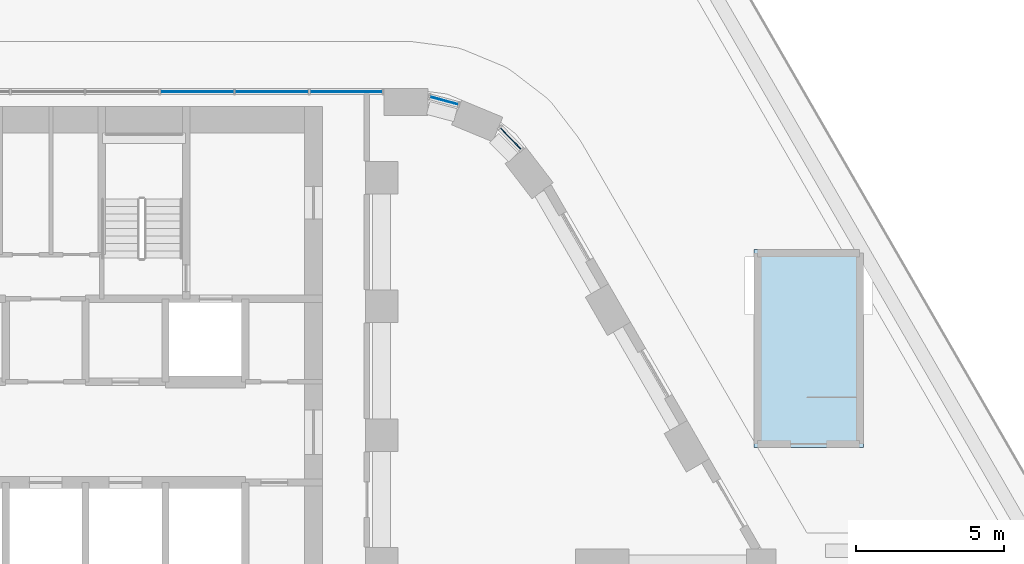
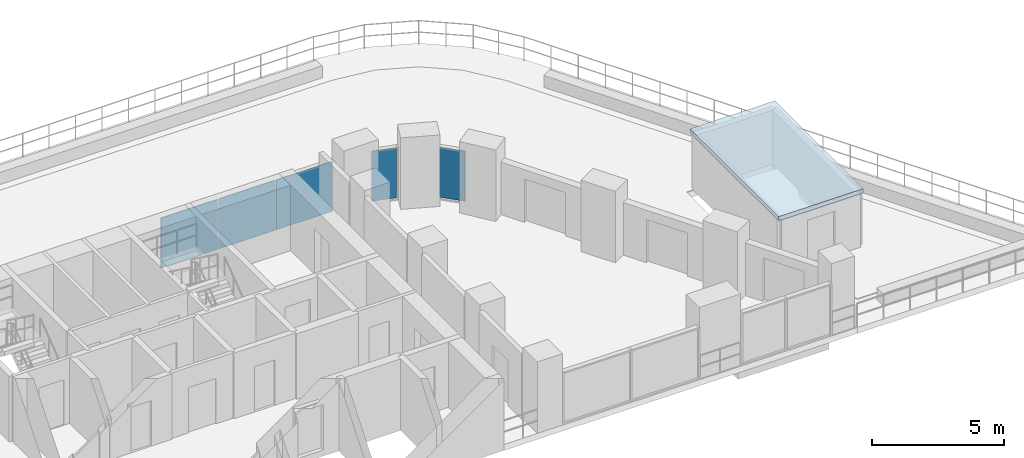
# One storey, part 10 of 24: 5 plates, 1 slab, 3 elements without a shape of their own.
"""IFC4 building model written with IfcOpenShell, lengths in metres."""

from ifc_helpers import new_model, si_unit, direction, frame, origin, origin_2d, place, context, subcontext, project, spatial, polyline, rectangle, outline, extrude, material, layer, layer_set, type_object, element, aggregate, save


model = new_model("IFC4")

# Units and contexts
model_context = context("Model", 3, precision=1e-05, world=origin(), true_north=direction((0.0, 1.0)))
body_context = subcontext(model_context, "Body", "Model", "MODEL_VIEW")
ifc_project = project(units=[si_unit("LENGTHUNIT", "METRE"), si_unit("AREAUNIT", "SQUARE_METRE"), si_unit("VOLUMEUNIT", "CUBIC_METRE"), si_unit("PLANEANGLEUNIT", "RADIAN"), si_unit("MASSUNIT", "GRAM", prefix="KILO")], contexts=[model_context])

# Site, building, storey
site_placement = place(None, origin())
site = spatial("IfcSite", under=ifc_project, at=site_placement, CompositionType="ELEMENT")
building_placement = place(site_placement, origin())
building = spatial("IfcBuilding", under=site, at=building_placement, Name="Nakaniwa Court", CompositionType="ELEMENT")
storey_placement = place(building_placement, frame((0.0, 0.0, 28.199951171875)))
storey = spatial("IfcBuildingStorey", under=building, at=storey_placement, Name="L06", CompositionType="ELEMENT", Elevation=28.199951171875)

# Curtain wall, plate
ifc_material_1 = material(Name="Black anodised aluminium frame with dark low-E laminated double glazing", Category="aluminium")
ifc_layer_1 = layer(ifc_material_1, 0.199951171875)
ifc_layer_set_1 = layer_set([ifc_layer_1], Name="Black anodised aluminium frame with dark low-E laminated double glazing")
curtain_wall_type = type_object("IfcCurtainWallType", Name="Amenity and sky level curtain wall", PredefinedType="NOTDEFINED", material=ifc_layer_set_1)
curtain_wall_1_placement = place(storey_placement, origin())
curtain_wall_1 = element("IfcCurtainWall", 1, at=curtain_wall_1_placement, inside=storey, type_object=curtain_wall_type, Name="L06 curtain wall CW3 24", PredefinedType="NOTDEFINED")
ifc_material_2 = material(Name="Dark toughened glass", Category="glass")
ifc_layer_2 = layer(ifc_material_2, 0.006, Name="Outer pane")
ifc_material_3 = material(Name="Argon filled cavity")
ifc_layer_3 = layer(ifc_material_3, 0.016, Name="Cavity")
ifc_material_4 = material(Name="Dark laminated safety glass", Category="glass")
ifc_layer_4 = layer(ifc_material_4, 0.006, Name="Inner pane")
ifc_layer_set_2 = layer_set([ifc_layer_2, ifc_layer_3, ifc_layer_4], Name="Dark low-E laminated double glazing")
plate_type = type_object("IfcPlateType", Name="Amenity and sky level curtain wall glass panel", PredefinedType="CURTAIN_PANEL", material=ifc_layer_set_2)
plate_1_placement = place(storey_placement, frame((94.362060546875, 102.316162109375, 0.05517578125), z_axis=(0.0, 0.0, 1.0), x_axis=(-0.696171153299, 0.717875842548, 0.0)))
plate_1 = element("IfcPlate", 2, at=plate_1_placement, type_object=plate_type, Name="CW3 panel 1.1", PredefinedType="CURTAIN_PANEL", context=body_context, shape_type="SweptSolid", body=[
    extrude(rectangle(XDim=1.000244140625, YDim=0.028076171875, at=origin_2d()), origin(), (0.0, 0.0, 1.0), 2.31494140625),
])
aggregate(curtain_wall_1, [plate_1])

curtain_wall_2_placement = place(storey_placement, origin())
curtain_wall_2 = element("IfcCurtainWall", 3, at=curtain_wall_2_placement, inside=storey, type_object=curtain_wall_type, Name="L06 curtain wall CW3 25", PredefinedType="NOTDEFINED")
plate_2_placement = place(storey_placement, frame((92.111328125, 103.59814453125, 0.05517578125), z_axis=(0.0, 0.0, 1.0), x_axis=(-0.965220599276, 0.261436789175, 0.0)))
plate_2 = element("IfcPlate", 4, at=plate_2_placement, type_object=plate_type, Name="CW3 panel 1.1", PredefinedType="CURTAIN_PANEL", context=body_context, shape_type="SweptSolid", body=[
    extrude(rectangle(XDim=0.98291015625, YDim=0.028076171875, at=origin_2d()), origin(), (0.0, 0.0, 1.0), 2.31494140625),
])
aggregate(curtain_wall_2, [plate_2])

# Curtain wall, plates
curtain_wall_3_placement = place(storey_placement, origin())
curtain_wall_3 = element("IfcCurtainWall", 5, at=curtain_wall_3_placement, inside=storey, type_object=curtain_wall_type, Name="L06 curtain wall CW3 26", PredefinedType="NOTDEFINED")
plate_3_placement = place(storey_placement, frame((88.802978515625, 103.89990234375, 0.05517578125), z_axis=(0.0, 0.0, 1.0), x_axis=(-1.0, 0.0, 0.0)))
plate_3 = element("IfcPlate", 6, at=plate_3_placement, type_object=plate_type, Name="CW3 panel 1.1", PredefinedType="CURTAIN_PANEL", context=body_context, shape_type="SweptSolid", body=[
    extrude(rectangle(XDim=2.44140625, YDim=0.028076171875, at=origin_2d()), origin(), (0.0, 0.0, 1.0), 2.31494140625),
])
plate_4_placement = place(storey_placement, frame((86.29296875, 103.89990234375, 0.05517578125), z_axis=(0.0, 0.0, 1.0), x_axis=(-1.0, 0.0, 0.0)))
plate_4 = element("IfcPlate", 7, at=plate_4_placement, type_object=plate_type, Name="CW3 panel 2.1", PredefinedType="CURTAIN_PANEL", context=body_context, shape_type="SweptSolid", body=[
    extrude(rectangle(XDim=2.46875, YDim=0.028076171875, at=origin_2d()), origin(), (0.0, 0.0, 1.0), 2.31494140625),
])
plate_5_placement = place(storey_placement, frame((83.769287109375, 103.89990234375, 0.05517578125), z_axis=(0.0, 0.0, 1.0), x_axis=(-1.0, 0.0, 0.0)))
plate_5 = element("IfcPlate", 8, at=plate_5_placement, type_object=plate_type, Name="CW3 panel 3.1", PredefinedType="CURTAIN_PANEL", context=body_context, shape_type="SweptSolid", body=[
    extrude(rectangle(XDim=2.46875, YDim=0.028076171875, at=origin_2d()), origin(), (0.0, 0.0, 1.0), 2.31494140625),
])
aggregate(curtain_wall_3, [plate_3, plate_4, plate_5])

# Slab
ifc_material_5 = material(Name="Concrete C80/100", Category="concrete")
ifc_layer_5 = layer(ifc_material_5, 0.199951171875)
ifc_layer_set_3 = layer_set([ifc_layer_5], Name="Concrete C80/100")
slab_type = type_object("IfcSlabType", Name="Head house roof slab 200", PredefinedType="ROOF", material=ifc_layer_set_3)
slab_placement = place(storey_placement, frame((0.0, 0.0, 2.5)))
element("IfcSlab", 9, at=slab_placement, inside=storey, type_object=slab_type, Name="Stair SS1 head house roof", PredefinedType="ROOF", context=body_context, shape_type="SweptSolid", body=[
    extrude(outline(polyline([(102.574951171875, 91.875), (106.27490234375, 91.875), (106.27490234375, 98.574951171875), (102.574951171875, 98.574951171875), (102.574951171875, 91.875)])), origin(), (0.0, 0.0, 1.0), 0.199951171875),
])

save(model, "model.ifc")
